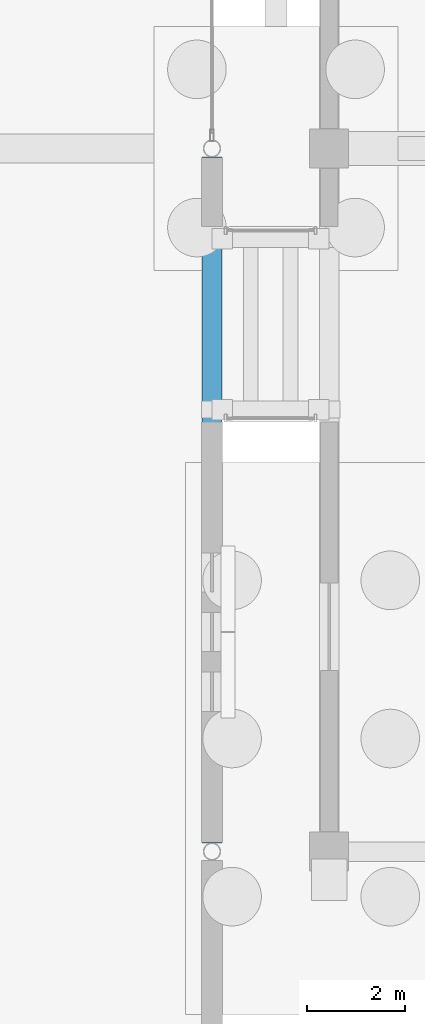
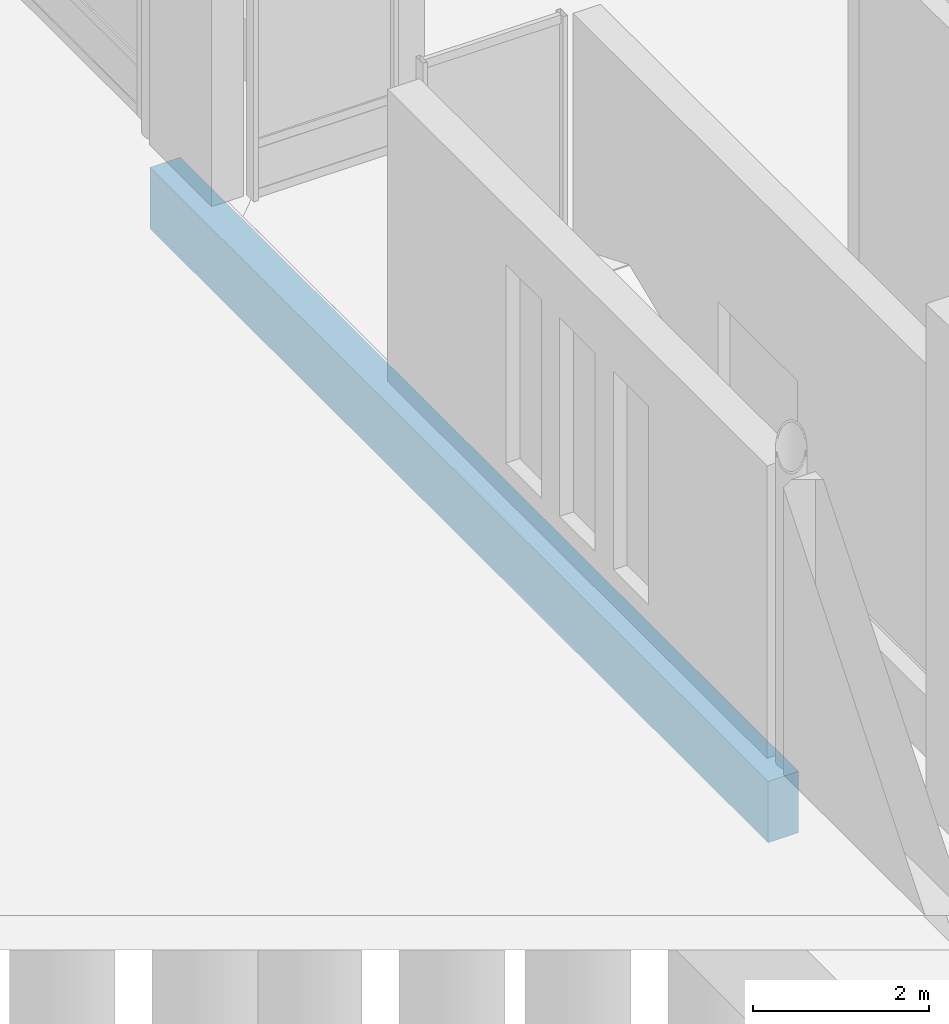
# One storey, part 66 of 192: 1 beam.
"""IFC4 building model written with IfcOpenShell, lengths in metres."""

from ifc_helpers import new_model, si_unit, direction, frame, origin, origin_2d, place, context, subcontext, project, spatial, rectangle, extrude, material, material_profile, profile_set, type_object, element, save


model = new_model("IFC4")

# Units and contexts
model_context = context("Model", 3, precision=1e-05, world=origin(), true_north=direction((0.0, 1.0)))
body_context = subcontext(model_context, "Body", "Model", "MODEL_VIEW")
ifc_project = project(units=[si_unit("LENGTHUNIT", "METRE"), si_unit("AREAUNIT", "SQUARE_METRE"), si_unit("VOLUMEUNIT", "CUBIC_METRE"), si_unit("PLANEANGLEUNIT", "RADIAN"), si_unit("MASSUNIT", "GRAM", prefix="KILO")], contexts=[model_context])

# Site, building, storey
site_placement = place(None, origin())
site = spatial("IfcSite", under=ifc_project, at=site_placement, CompositionType="ELEMENT")
building_placement = place(site_placement, origin())
building = spatial("IfcBuilding", under=site, at=building_placement, Name="Cendralis Lancet Convention Centre", CompositionType="ELEMENT")
storey_placement = place(building_placement, origin())
storey = spatial("IfcBuildingStorey", under=building, at=storey_placement, Name="L00", CompositionType="ELEMENT", Elevation=0.0)

# Beam
ifc_material = material(Name="Concrete G40 (C40/50)", Category="concrete")
ifc_material_profile = material_profile(ifc_material, rectangle(XDim=0.39990234375, YDim=0.85009765625, at=origin_2d()), Name="RCB 400x850")
ifc_profile_set = profile_set([ifc_material_profile], Name="Concrete G40 (C40/50)")
beam_type = type_object("IfcBeamType", Name="STR-SP-SP02", PredefinedType="SPANDREL", material=ifc_profile_set)
beam_placement = place(storey_placement, frame((122.39990234375, 93.77783203125, -0.7451171875), z_axis=(0.0, 1.0, 0.0), x_axis=(-1.0, 0.0, 0.0)))
element("IfcBeam", 1, at=beam_placement, inside=storey, type_object=beam_type, Name="L00 Beam SP02 #1305", PredefinedType="SPANDREL", context=body_context, shape_type="SweptSolid", body=[
    extrude(rectangle(XDim=0.39990234375, YDim=0.85009765625, at=origin_2d()), origin(), (0.0, 0.0, 1.0), 14.04443359375),
])

save(model, "model.ifc")
